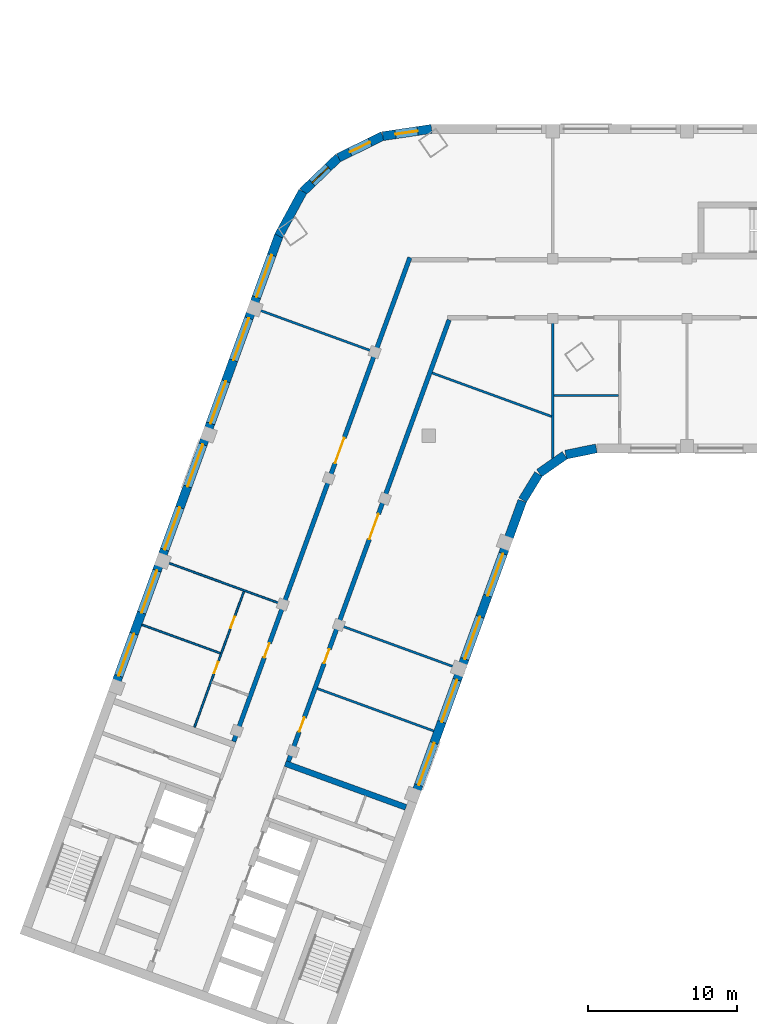
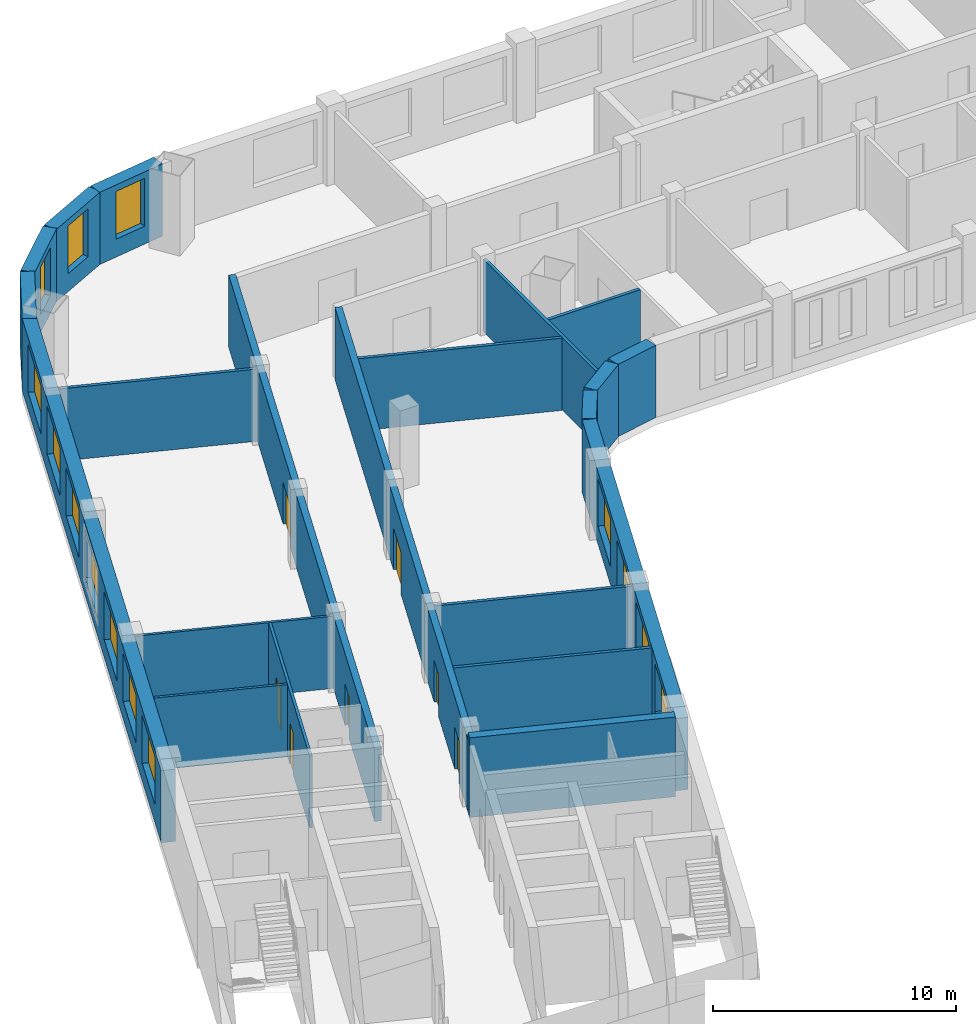
# One storey, part 3 of 12: 21 walls, 14 windows, 7 doors, 21 openings.
"""IFC4 building model written with IfcOpenShell, lengths in metres."""

from ifc_helpers import new_model, si_unit, direction, frame, frame_2d, origin, place, context, subcontext, project, spatial, rectangle, extrude, material, layer, layer_set, type_object, element, fill, save


model = new_model("IFC4")

# Units and contexts
model_context = context("Model", 3, precision=1e-05, world=origin(), true_north=direction((0.0, 1.0)))
body_context = subcontext(model_context, "Body", "Model", "MODEL_VIEW")
ifc_project = project(units=[si_unit("LENGTHUNIT", "METRE"), si_unit("AREAUNIT", "SQUARE_METRE"), si_unit("VOLUMEUNIT", "CUBIC_METRE"), si_unit("PLANEANGLEUNIT", "RADIAN"), si_unit("MASSUNIT", "GRAM", prefix="KILO")], contexts=[model_context])

# Site, building, storey
site_placement = place(None, origin())
site = spatial("IfcSite", under=ifc_project, at=site_placement, CompositionType="ELEMENT")
building_placement = place(site_placement, origin())
building = spatial("IfcBuilding", under=site, at=building_placement, Name="Skarvind Civic Tower", CompositionType="ELEMENT")
storey_placement = place(building_placement, frame((0.0, 0.0, 59.5)))
storey = spatial("IfcBuildingStorey", under=building, at=storey_placement, Name="L13", CompositionType="ELEMENT", Elevation=59.5)

# Wall, openings, doors
ifc_material_1 = material(Name="Fire-rated gypsum board on steel studs", Category="steel")
ifc_layer_1 = layer(ifc_material_1, 0.300048828125)
ifc_layer_set_1 = layer_set([ifc_layer_1], Name="CORRIDOR WALL 300")
wall_type_1 = type_object("IfcWallType", Name="CORRIDOR WALL 300", PredefinedType="PARTITIONING", material=ifc_layer_set_1)
wall_1_placement = place(storey_placement, frame((32.881103515625, 97.656982421875, 0.0), z_axis=(0.0, 0.0, 1.0), x_axis=(0.342017360004, 0.939693633828, 0.0)))
wall_1 = element("IfcWall", 1, at=wall_1_placement, inside=storey, type_object=wall_type_1, Name="Partition 13.006", PredefinedType="PARTITIONING", context=body_context, shape_type="SweptSolid", body=[
    extrude(rectangle(XDim=34.515625, YDim=0.300048828125, at=frame_2d((17.2578125, 0.0))), origin(), (0.0, 0.0, 1.0), 3.625),
])
opening_1_placement = place(wall_1_placement, frame((6.0, 0.0, 0.0)))
opening_1 = element("IfcOpeningElement", 2, at=opening_1_placement, cuts=wall_1, Name="Opening L13-D014", PredefinedType="OPENING", context=body_context, shape_type="SweptSolid", body=[
    extrude(rectangle(XDim=1.0, YDim=2.10009765625, at=frame_2d((0.5, 1.050048828125))), frame((0.0, 0.159912109375, 0.0), z_axis=(0.0, -1.0, 0.0), x_axis=(1.0, 0.0, 0.0)), (0.0, 0.0, 1.0), 0.320068359375),
])
opening_2_placement = place(wall_1_placement, frame((19.85009765625, 0.0, 0.0)))
opening_2 = element("IfcOpeningElement", 3, at=opening_2_placement, cuts=wall_1, Name="Opening L13-D018", PredefinedType="OPENING", context=body_context, shape_type="SweptSolid", body=[
    extrude(rectangle(XDim=1.800048828125, YDim=2.10009765625, at=frame_2d((0.89990234375, 1.050048828125))), frame((0.0, 0.159912109375, 0.0), z_axis=(0.0, -1.0, 0.0), x_axis=(1.0, 0.0, 0.0)), (0.0, 0.0, 1.0), 0.320068359375),
])
ifc_material_2 = material(Name="Fire-rated timber door leaf", Category="wood")
door_type_1 = type_object("IfcDoorType", Name="FD1 1000x2100", OperationType="NOTDEFINED", PredefinedType="DOOR", material=ifc_material_2)
door_1_placement = place(opening_1_placement, origin())
door_1 = element("IfcDoor", 4, at=door_1_placement, inside=storey, type_object=door_type_1, Name="Door L13-D014", OperationType="SINGLE_SWING_RIGHT", OverallHeight=2.10009765625, OverallWidth=1.0, PredefinedType="DOOR", context=body_context, shape_type="SweptSolid", body=[
    extrude(rectangle(XDim=1.0, YDim=2.10009765625, at=frame_2d((0.5, 1.050048828125))), frame((0.0, 0.02490234375, 0.0), z_axis=(0.0, -1.0, 0.0), x_axis=(1.0, 0.0, 0.0)), (0.0, 0.0, 1.0), 0.050048828125),
])
fill(opening_1, door_1)
door_type_2 = type_object("IfcDoorType", Name="FD4 1800x2100", OperationType="NOTDEFINED", PredefinedType="DOOR", material=ifc_material_2)
door_2_placement = place(opening_2_placement, origin())
door_2 = element("IfcDoor", 5, at=door_2_placement, inside=storey, type_object=door_type_2, Name="Door L13-D018", OperationType="DOUBLE_DOOR_SINGLE_SWING", OverallHeight=2.10009765625, OverallWidth=1.800048828125, PredefinedType="DOOR", context=body_context, shape_type="SweptSolid", body=[
    extrude(rectangle(XDim=1.800048828125, YDim=2.10009765625, at=frame_2d((0.89990234375, 1.050048828125))), frame((0.0, 0.02490234375, 0.0), z_axis=(0.0, -1.0, 0.0), x_axis=(1.0, 0.0, 0.0)), (0.0, 0.0, 1.0), 0.050048828125),
])
fill(opening_2, door_2)

wall_2_placement = place(storey_placement, frame((47.31396484375, 125.908935546875, 0.0), z_axis=(0.0, 0.0, 1.0), x_axis=(-0.342010770371, -0.939696032209, 0.0)))
wall_2 = element("IfcWall", 6, at=wall_2_placement, inside=storey, type_object=wall_type_1, Name="Partition 13.011", PredefinedType="PARTITIONING", context=body_context, shape_type="SweptSolid", body=[
    extrude(rectangle(XDim=31.484619140625, YDim=0.300048828125, at=frame_2d((15.7421875, 0.0))), origin(), (0.0, 0.0, 1.0), 3.625),
])
opening_3_placement = place(wall_2_placement, frame((28.359375, 0.0, 0.0)))
opening_3 = element("IfcOpeningElement", 7, at=opening_3_placement, cuts=wall_2, Name="Opening L13-D019", PredefinedType="OPENING", context=body_context, shape_type="SweptSolid", body=[
    extrude(rectangle(XDim=1.0, YDim=2.10009765625, at=frame_2d((0.5, 1.050048828125))), frame((0.0, 0.159912109375, 0.0), z_axis=(0.0, -1.0, 0.0), x_axis=(1.0, 0.0, 0.0)), (0.0, 0.0, 1.0), 0.320068359375),
])
opening_4_placement = place(wall_2_placement, frame((23.484375, 0.0, 0.0)))
opening_4 = element("IfcOpeningElement", 8, at=opening_4_placement, cuts=wall_2, Name="Opening L13-D020", PredefinedType="OPENING", context=body_context, shape_type="SweptSolid", body=[
    extrude(rectangle(XDim=1.0, YDim=2.10009765625, at=frame_2d((0.5, 1.050048828125))), frame((0.0, 0.159912109375, 0.0), z_axis=(0.0, -1.0, 0.0), x_axis=(1.0, 0.0, 0.0)), (0.0, 0.0, 1.0), 0.320068359375),
])
opening_5_placement = place(wall_2_placement, frame((13.83447265625, 0.0, 0.0)))
opening_5 = element("IfcOpeningElement", 9, at=opening_5_placement, cuts=wall_2, Name="Opening L13-D021", PredefinedType="OPENING", context=body_context, shape_type="SweptSolid", body=[
    extrude(rectangle(XDim=1.800048828125, YDim=2.10009765625, at=frame_2d((0.89990234375, 1.050048828125))), frame((0.0, 0.159912109375, 0.0), z_axis=(0.0, -1.0, 0.0), x_axis=(1.0, 0.0, 0.0)), (0.0, 0.0, 1.0), 0.320068359375),
])
door_3_placement = place(opening_3_placement, origin())
door_3 = element("IfcDoor", 10, at=door_3_placement, inside=storey, type_object=door_type_1, Name="Door L13-D019", OperationType="SINGLE_SWING_RIGHT", OverallHeight=2.10009765625, OverallWidth=1.0, PredefinedType="DOOR", context=body_context, shape_type="SweptSolid", body=[
    extrude(rectangle(XDim=1.0, YDim=2.10009765625, at=frame_2d((0.5, 1.050048828125))), frame((0.0, 0.02490234375, 0.0), z_axis=(0.0, -1.0, 0.0), x_axis=(1.0, 0.0, 0.0)), (0.0, 0.0, 1.0), 0.050048828125),
])
fill(opening_3, door_3)
door_4_placement = place(opening_4_placement, origin())
door_4 = element("IfcDoor", 11, at=door_4_placement, inside=storey, type_object=door_type_1, Name="Door L13-D020", OperationType="SINGLE_SWING_LEFT", OverallHeight=2.10009765625, OverallWidth=1.0, PredefinedType="DOOR", context=body_context, shape_type="SweptSolid", body=[
    extrude(rectangle(XDim=1.0, YDim=2.10009765625, at=frame_2d((0.5, 1.050048828125))), frame((0.0, 0.02490234375, 0.0), z_axis=(0.0, -1.0, 0.0), x_axis=(1.0, 0.0, 0.0)), (0.0, 0.0, 1.0), 0.050048828125),
])
fill(opening_4, door_4)
door_5_placement = place(opening_5_placement, origin())
door_5 = element("IfcDoor", 12, at=door_5_placement, inside=storey, type_object=door_type_2, Name="Door L13-D021", OperationType="DOUBLE_DOOR_SINGLE_SWING", OverallHeight=2.10009765625, OverallWidth=1.800048828125, PredefinedType="DOOR", context=body_context, shape_type="SweptSolid", body=[
    extrude(rectangle(XDim=1.800048828125, YDim=2.10009765625, at=frame_2d((0.89990234375, 1.050048828125))), frame((0.0, 0.02490234375, 0.0), z_axis=(0.0, -1.0, 0.0), x_axis=(1.0, 0.0, 0.0)), (0.0, 0.0, 1.0), 0.050048828125),
])
fill(opening_5, door_5)

# Walls
ifc_material_3 = material(Name="Concrete C80", Category="concrete")
ifc_layer_2 = layer(ifc_material_3, 0.39990234375)
ifc_layer_set_2 = layer_set([ifc_layer_2], Name="Core wall 400 C80")
wall_type_2 = type_object("IfcWallType", Name="Core wall 400 C80", PredefinedType="SHEAR", material=ifc_layer_set_2)
wall_3_placement = place(storey_placement, frame((44.417724609375, 93.2451171875, 0.0), z_axis=(0.0, 0.0, 1.0), x_axis=(-0.93969060187, 0.342025690201, 0.0)))
element("IfcWall", 13, at=wall_3_placement, inside=storey, type_object=wall_type_2, Name="Core wall C2 south inner face L13", PredefinedType="SHEAR", context=body_context, shape_type="SweptSolid", body=[
    extrude(rectangle(XDim=8.599853515625, YDim=0.39990234375, at=frame_2d((4.2998046875, 0.0))), origin(), (0.0, 0.0, 1.0), 4.0),
])
ifc_material_4 = material(Name="Plasterboard partition on steel studs", Category="steel")
ifc_layer_3 = layer(ifc_material_4, 0.14990234375)
ifc_layer_set_3 = layer_set([ifc_layer_3], Name="PARTITION 150")
wall_type_3 = type_object("IfcWallType", Name="PARTITION 150", PredefinedType="PARTITIONING", material=ifc_layer_set_3)
for number, where, z_axis, x_axis, name in (
    (14, (38.48193359375, 101.2060546875, 0.0), (0.0, 0.0, 1.0), (0.939687752599, -0.342033518263, 0.0), "Partition 13.007"),
    (15, (40.02099609375, 105.43408203125, 0.0), (0.0, 0.0, 1.0), (0.939687752599, -0.342033518263, 0.0), "Partition 13.008"),
    (16, (42.23095703125, 123.784912109375, 0.0), (0.0, 0.0, 1.0), (-0.939687752599, 0.342033518263, 0.0), "Partition 13.009"),
):
    element("IfcWall", number, at=place(storey_placement, frame(where, z_axis=z_axis, x_axis=x_axis)), inside=storey, type_object=wall_type_3, Name=name, PredefinedType="PARTITIONING", context=body_context, shape_type="SweptSolid", body=[
        extrude(rectangle(XDim=8.30078125, YDim=0.14990234375, at=frame_2d((4.150390625, 0.0))), origin(), (0.0, 0.0, 1.0), 3.625),
    ])
wall_4_placement = place(storey_placement, frame((54.25, 116.636962890625, 0.0), z_axis=(0.0, 0.0, 1.0), x_axis=(0.0, 1.0, 0.0)))
element("IfcWall", 17, at=wall_4_placement, inside=storey, type_object=wall_type_3, Name="Partition 13.012", PredefinedType="PARTITIONING", context=body_context, shape_type="SweptSolid", body=[
    extrude(rectangle(XDim=9.262939453125, YDim=0.14990234375, at=frame_2d((4.63134765625, 0.0))), origin(), (0.0, 0.0, 1.0), 3.625),
])
wall_5_placement = place(storey_placement, frame((54.179931640625, 119.43603515625, 0.0), z_axis=(0.0, 0.0, 1.0), x_axis=(-0.939669476286, 0.342083725624, 0.0)))
element("IfcWall", 18, at=wall_5_placement, inside=storey, type_object=wall_type_3, Name="Partition 13.013", PredefinedType="PARTITIONING", context=body_context, shape_type="SweptSolid", body=[
    extrude(rectangle(XDim=8.515625, YDim=0.14990234375, at=frame_2d((4.2578125, 0.0))), origin(), (0.0, 0.0, 1.0), 3.625),
])
wall_6_placement = place(storey_placement, frame((54.324951171875, 120.85009765625, 0.0), z_axis=(0.0, 0.0, 1.0), x_axis=(1.0, 0.0, 0.0)))
element("IfcWall", 19, at=wall_6_placement, inside=storey, type_object=wall_type_3, Name="Partition 13.014", PredefinedType="PARTITIONING", context=body_context, shape_type="SweptSolid", body=[
    extrude(rectangle(XDim=4.35009765625, YDim=0.14990234375, at=frame_2d((2.175048828125, 0.0))), origin(), (0.0, 0.0, 1.0), 3.625),
])
ifc_material_5 = material(Name="Moisture-resistant gypsum board on steel studs", Category="steel")
ifc_layer_4 = layer(ifc_material_5, 0.125)
ifc_layer_set_4 = layer_set([ifc_layer_4], Name="WC PARTITION 125")
wall_type_4 = type_object("IfcWallType", Name="WC PARTITION 125", PredefinedType="PARTITIONING", material=ifc_layer_set_4)
wall_7_placement = place(storey_placement, frame((26.736083984375, 105.47998046875, 0.0), z_axis=(0.0, 0.0, 1.0), x_axis=(0.939690035435, -0.342027246436, 0.0)))
element("IfcWall", 20, at=wall_7_placement, inside=storey, type_object=wall_type_4, Name="Partition 13.001", PredefinedType="PARTITIONING", context=body_context, shape_type="SweptSolid", body=[
    extrude(rectangle(XDim=5.5869140625, YDim=0.125, at=frame_2d((2.79345703125, 0.0))), origin(), (0.0, 0.0, 1.0), 3.625),
])
wall_8_placement = place(storey_placement, frame((28.27490234375, 109.708984375, 0.0), z_axis=(0.0, 0.0, 1.0), x_axis=(0.939697205528, -0.342007546586, 0.0)))
element("IfcWall", 21, at=wall_8_placement, inside=storey, type_object=wall_type_4, Name="Partition 13.002", PredefinedType="PARTITIONING", context=body_context, shape_type="SweptSolid", body=[
    extrude(rectangle(XDim=8.300537109375, YDim=0.125, at=frame_2d((4.150390625, 0.0))), origin(), (0.0, 0.0, 1.0), 3.625),
])

# Wall, openings, doors
wall_9_placement = place(storey_placement, frame((30.25, 98.614990234375, 0.0), z_axis=(0.0, 0.0, 1.0), x_axis=(0.341998018937, 0.93970067311, 0.0)))
wall_9 = element("IfcWall", 22, at=wall_9_placement, inside=storey, type_object=wall_type_4, Name="Partition 13.003", PredefinedType="PARTITIONING", context=body_context, shape_type="SweptSolid", body=[
    extrude(rectangle(XDim=9.687255859375, YDim=0.125, at=frame_2d((4.84375, 0.0))), origin(), (0.0, 0.0, 1.0), 3.625),
])
opening_6_placement = place(wall_9_placement, frame((7.078125, 0.0, 0.0)))
opening_6 = element("IfcOpeningElement", 23, at=opening_6_placement, cuts=wall_9, Name="Opening L13-D016", PredefinedType="OPENING", context=body_context, shape_type="SweptSolid", body=[
    extrude(rectangle(XDim=0.800048828125, YDim=2.10009765625, at=frame_2d((0.39990234375, 1.050048828125))), frame((0.0, 0.072509765625, 0.0), z_axis=(0.0, -1.0, 0.0), x_axis=(1.0, 0.0, 0.0)), (0.0, 0.0, 1.0), 0.14501953125),
])
opening_7_placement = place(wall_9_placement, frame((3.847900390625, 0.0, 0.0)))
opening_7 = element("IfcOpeningElement", 24, at=opening_7_placement, cuts=wall_9, Name="Opening L13-D017", PredefinedType="OPENING", context=body_context, shape_type="SweptSolid", body=[
    extrude(rectangle(XDim=0.800048828125, YDim=2.10009765625, at=frame_2d((0.39990234375, 1.050048828125))), frame((0.0, 0.072509765625, 0.0), z_axis=(0.0, -1.0, 0.0), x_axis=(1.0, 0.0, 0.0)), (0.0, 0.0, 1.0), 0.14501953125),
])
ifc_material_6 = material(Name="Timber door leaf", Category="wood")
door_type_3 = type_object("IfcDoorType", Name="DOOR 800X2100 TIMBER", OperationType="NOTDEFINED", PredefinedType="DOOR", material=ifc_material_6)
door_6_placement = place(opening_6_placement, origin())
door_6 = element("IfcDoor", 25, at=door_6_placement, inside=storey, type_object=door_type_3, Name="Door L13-D016", OperationType="SINGLE_SWING_RIGHT", OverallHeight=2.10009765625, OverallWidth=0.800048828125, PredefinedType="DOOR", context=body_context, shape_type="SweptSolid", body=[
    extrude(rectangle(XDim=0.800048828125, YDim=2.10009765625, at=frame_2d((0.39990234375, 1.050048828125))), frame((0.0, 0.02490234375, 0.0), z_axis=(0.0, -1.0, 0.0), x_axis=(1.0, 0.0, 0.0)), (0.0, 0.0, 1.0), 0.050048828125),
])
fill(opening_6, door_6)
door_7_placement = place(opening_7_placement, origin())
door_7 = element("IfcDoor", 26, at=door_7_placement, inside=storey, type_object=door_type_3, Name="Door L13-D017", OperationType="SINGLE_SWING_RIGHT", OverallHeight=2.10009765625, OverallWidth=0.800048828125, PredefinedType="DOOR", context=body_context, shape_type="SweptSolid", body=[
    extrude(rectangle(XDim=0.800048828125, YDim=2.10009765625, at=frame_2d((0.39990234375, 1.050048828125))), frame((0.0, 0.02490234375, 0.0), z_axis=(0.0, -1.0, 0.0), x_axis=(1.0, 0.0, 0.0)), (0.0, 0.0, 1.0), 0.050048828125),
])
fill(opening_7, door_7)

# Wall, openings, windows
ifc_material_7 = material(Name="Limestone masonry cladding on insulated backing", Category="masonry")
ifc_layer_5 = layer(ifc_material_7, 0.60009765625)
ifc_layer_set_5 = layer_set([ifc_layer_5], Name="WX1 STONE FACADE WALL 600")
wall_type_5 = type_object("IfcWallType", Name="WX1 STONE FACADE WALL 600", PredefinedType="SOLIDWALL", material=ifc_layer_set_5)
wall_10_placement = place(storey_placement, frame((52.212158203125, 113.78271484375, 0.0), z_axis=(0.0, 0.0, 1.0), x_axis=(-0.34202521188, -0.939690775968, 0.0)))
wall_10 = element("IfcWall", 27, at=wall_10_placement, inside=storey, type_object=wall_type_5, Name="STONE FACADE WALL", PredefinedType="SOLIDWALL", context=body_context, shape_type="SweptSolid", body=[
    extrude(rectangle(XDim=21.744873046875, YDim=0.60009765625, at=frame_2d((10.87255859375, 0.0))), origin(), (0.0, 0.0, 1.0), 3.625),
])
opening_8_placement = place(wall_10_placement, frame((3.764892578125, 0.0, 0.89990234375)))
opening_8 = element("IfcOpeningElement", 28, at=opening_8_placement, cuts=wall_10, Name="Opening WN1", PredefinedType="OPENING", context=body_context, shape_type="SweptSolid", body=[
    extrude(rectangle(XDim=3.0, YDim=2.39990234375, at=frame_2d((1.5, 1.199951171875))), frame((0.0, 0.31005859375, 0.0), z_axis=(0.0, -1.0, 0.0), x_axis=(1.0, 0.0, 0.0)), (0.0, 0.0, 1.0), 0.6201171875),
])
opening_9_placement = place(wall_10_placement, frame((8.264892578125, 0.0, 0.89990234375)))
opening_9 = element("IfcOpeningElement", 29, at=opening_9_placement, cuts=wall_10, Name="Opening WN1", PredefinedType="OPENING", context=body_context, shape_type="SweptSolid", body=[
    extrude(rectangle(XDim=3.0, YDim=2.39990234375, at=frame_2d((1.5, 1.199951171875))), frame((0.0, 0.31005859375, 0.0), z_axis=(0.0, -1.0, 0.0), x_axis=(1.0, 0.0, 0.0)), (0.0, 0.0, 1.0), 0.6201171875),
])
opening_10_placement = place(wall_10_placement, frame((12.764892578125, 0.0, 0.89990234375)))
opening_10 = element("IfcOpeningElement", 30, at=opening_10_placement, cuts=wall_10, Name="Opening WN1", PredefinedType="OPENING", context=body_context, shape_type="SweptSolid", body=[
    extrude(rectangle(XDim=3.0, YDim=2.39990234375, at=frame_2d((1.5, 1.199951171875))), frame((0.0, 0.31005859375, 0.0), z_axis=(0.0, -1.0, 0.0), x_axis=(1.0, 0.0, 0.0)), (0.0, 0.0, 1.0), 0.6201171875),
])
opening_11_placement = place(wall_10_placement, frame((17.264892578125, 0.0, 0.89990234375)))
opening_11 = element("IfcOpeningElement", 31, at=opening_11_placement, cuts=wall_10, Name="Opening WN1", PredefinedType="OPENING", context=body_context, shape_type="SweptSolid", body=[
    extrude(rectangle(XDim=3.0, YDim=2.39990234375, at=frame_2d((1.5, 1.199951171875))), frame((0.0, 0.31005859375, 0.0), z_axis=(0.0, -1.0, 0.0), x_axis=(1.0, 0.0, 0.0)), (0.0, 0.0, 1.0), 0.6201171875),
])
ifc_material_8 = material(Name="Timber frame, double glazing, timber-lined reveal", Category="wood")
window_type_1 = type_object("IfcWindowType", Name="WN1 PUNCHED STONE WINDOW 3000 x 2400", PartitioningType="SINGLE_PANEL", PredefinedType="WINDOW", material=ifc_material_8)
window_1_placement = place(opening_8_placement, origin())
window_1 = element("IfcWindow", 32, at=window_1_placement, inside=storey, type_object=window_type_1, Name="WN1 WINDOW", OverallHeight=2.39990234375, OverallWidth=3.0, PartitioningType="SINGLE_PANEL", PredefinedType="WINDOW", context=body_context, shape_type="SweptSolid", body=[
    extrude(rectangle(XDim=3.0, YDim=2.39990234375, at=frame_2d((1.5, 1.199951171875))), frame((0.0, 0.030029296875, 0.0), z_axis=(0.0, -1.0, 0.0), x_axis=(1.0, 0.0, 0.0)), (0.0, 0.0, 1.0), 0.06005859375),
])
fill(opening_8, window_1)
window_2_placement = place(opening_9_placement, origin())
window_2 = element("IfcWindow", 33, at=window_2_placement, inside=storey, type_object=window_type_1, Name="WN1 WINDOW", OverallHeight=2.39990234375, OverallWidth=3.0, PartitioningType="SINGLE_PANEL", PredefinedType="WINDOW", context=body_context, shape_type="SweptSolid", body=[
    extrude(rectangle(XDim=3.0, YDim=2.39990234375, at=frame_2d((1.5, 1.199951171875))), frame((0.0, 0.030029296875, 0.0), z_axis=(0.0, -1.0, 0.0), x_axis=(1.0, 0.0, 0.0)), (0.0, 0.0, 1.0), 0.06005859375),
])
fill(opening_9, window_2)
window_3_placement = place(opening_10_placement, origin())
window_3 = element("IfcWindow", 34, at=window_3_placement, inside=storey, type_object=window_type_1, Name="WN1 WINDOW", OverallHeight=2.39990234375, OverallWidth=3.0, PartitioningType="SINGLE_PANEL", PredefinedType="WINDOW", context=body_context, shape_type="SweptSolid", body=[
    extrude(rectangle(XDim=3.0, YDim=2.39990234375, at=frame_2d((1.5, 1.199951171875))), frame((0.0, 0.030029296875, 0.0), z_axis=(0.0, -1.0, 0.0), x_axis=(1.0, 0.0, 0.0)), (0.0, 0.0, 1.0), 0.06005859375),
])
fill(opening_10, window_3)
window_4_placement = place(opening_11_placement, origin())
window_4 = element("IfcWindow", 35, at=window_4_placement, inside=storey, type_object=window_type_1, Name="WN1 WINDOW", OverallHeight=2.39990234375, OverallWidth=3.0, PartitioningType="SINGLE_PANEL", PredefinedType="WINDOW", context=body_context, shape_type="SweptSolid", body=[
    extrude(rectangle(XDim=3.0, YDim=2.39990234375, at=frame_2d((1.5, 1.199951171875))), frame((0.0, 0.030029296875, 0.0), z_axis=(0.0, -1.0, 0.0), x_axis=(1.0, 0.0, 0.0)), (0.0, 0.0, 1.0), 0.06005859375),
])
fill(opening_11, window_4)

# Walls
wall_11_placement = place(storey_placement, frame((53.30517578125, 115.578369140625, 0.0), z_axis=(0.0, 0.0, 1.0), x_axis=(-0.522402266438, -0.852699168535, 0.0)))
element("IfcWall", 36, at=wall_11_placement, inside=storey, type_object=wall_type_5, Name="STONE FACADE WALL", PredefinedType="SOLIDWALL", context=body_context, shape_type="SweptSolid", body=[
    extrude(rectangle(XDim=2.042236328125, YDim=0.60009765625, at=frame_2d((1.02099609375, 0.0))), origin(), (0.0, 0.0, 1.0), 3.625),
])
for number, where, z_axis, x_axis, name in (
    (37, (55.061767578125, 116.8388671875, 0.0), (0.0, 0.0, 1.0), (-0.819122269495, -0.573618956815, 0.0), "STONE FACADE WALL"),
    (38, (57.17529296875, 117.2939453125, 0.0), (0.0, 0.0, 1.0), (-0.97996099083, -0.19918949885, 0.0), "STONE FACADE WALL"),
):
    element("IfcWall", number, at=place(storey_placement, frame(where, z_axis=z_axis, x_axis=x_axis)), inside=storey, type_object=wall_type_5, Name=name, PredefinedType="SOLIDWALL", context=body_context, shape_type="SweptSolid", body=[
        extrude(rectangle(XDim=2.09228515625, YDim=0.60009765625, at=frame_2d((1.046142578125, 0.0))), origin(), (0.0, 0.0, 1.0), 3.625),
    ])

# Wall, opening, window
wall_12_placement = place(storey_placement, frame((42.872802734375, 138.21728515625, 0.0), z_axis=(0.0, 0.0, 1.0), x_axis=(0.989110792192, 0.14717282619, 0.0)))
wall_12 = element("IfcWall", 39, at=wall_12_placement, inside=storey, type_object=wall_type_5, Name="STONE FACADE WALL", PredefinedType="SOLIDWALL", context=body_context, shape_type="SweptSolid", body=[
    extrude(rectangle(XDim=3.302734375, YDim=0.60009765625, at=frame_2d((1.6513671875, 0.0))), origin(), (0.0, 0.0, 1.0), 3.625),
])
opening_12_placement = place(wall_12_placement, frame((0.8564453125, 0.0, 0.89990234375)))
opening_12 = element("IfcOpeningElement", 40, at=opening_12_placement, cuts=wall_12, Name="Opening WN8", PredefinedType="OPENING", context=body_context, shape_type="SweptSolid", body=[
    extrude(rectangle(XDim=1.5, YDim=2.39990234375, at=frame_2d((0.75, 1.199951171875))), frame((0.0, 0.31005859375, 0.0), z_axis=(0.0, -1.0, 0.0), x_axis=(1.0, 0.0, 0.0)), (0.0, 0.0, 1.0), 0.6201171875),
])
window_type_2 = type_object("IfcWindowType", Name="WN8 ARC BAY WINDOW 1500 x 2400", PartitioningType="SINGLE_PANEL", PredefinedType="WINDOW", material=ifc_material_8)
window_5_placement = place(opening_12_placement, origin())
window_5 = element("IfcWindow", 41, at=window_5_placement, inside=storey, type_object=window_type_2, Name="WN8 WINDOW", OverallHeight=2.39990234375, OverallWidth=1.5, PartitioningType="SINGLE_PANEL", PredefinedType="WINDOW", context=body_context, shape_type="SweptSolid", body=[
    extrude(rectangle(XDim=1.5, YDim=2.39990234375, at=frame_2d((0.75, 1.199951171875))), frame((0.0, 0.030029296875, 0.0), z_axis=(0.0, -1.0, 0.0), x_axis=(1.0, 0.0, 0.0)), (0.0, 0.0, 1.0), 0.06005859375),
])
fill(opening_12, window_5)

wall_13_placement = place(storey_placement, frame((39.9072265625, 136.77587890625, 0.0), z_axis=(0.0, 0.0, 1.0), x_axis=(0.89761231107, 0.440785819889, 0.0)))
wall_13 = element("IfcWall", 42, at=wall_13_placement, inside=storey, type_object=wall_type_5, Name="STONE FACADE WALL", PredefinedType="SOLIDWALL", context=body_context, shape_type="SweptSolid", body=[
    extrude(rectangle(XDim=3.302734375, YDim=0.60009765625, at=frame_2d((1.6513671875, 0.0))), origin(), (0.0, 0.0, 1.0), 3.625),
])
opening_13_placement = place(wall_13_placement, frame((0.8564453125, 0.0, 0.89990234375)))
opening_13 = element("IfcOpeningElement", 43, at=opening_13_placement, cuts=wall_13, Name="Opening WN8", PredefinedType="OPENING", context=body_context, shape_type="SweptSolid", body=[
    extrude(rectangle(XDim=1.5, YDim=2.39990234375, at=frame_2d((0.75, 1.199951171875))), frame((0.0, 0.31005859375, 0.0), z_axis=(0.0, -1.0, 0.0), x_axis=(1.0, 0.0, 0.0)), (0.0, 0.0, 1.0), 0.6201171875),
])
window_6_placement = place(opening_13_placement, origin())
window_6 = element("IfcWindow", 44, at=window_6_placement, inside=storey, type_object=window_type_2, Name="WN8 WINDOW", OverallHeight=2.39990234375, OverallWidth=1.5, PartitioningType="SINGLE_PANEL", PredefinedType="WINDOW", context=body_context, shape_type="SweptSolid", body=[
    extrude(rectangle(XDim=1.5, YDim=2.39990234375, at=frame_2d((0.75, 1.199951171875))), frame((0.0, 0.030029296875, 0.0), z_axis=(0.0, -1.0, 0.0), x_axis=(1.0, 0.0, 0.0)), (0.0, 0.0, 1.0), 0.06005859375),
])
fill(opening_13, window_6)

wall_14_placement = place(storey_placement, frame((37.520263671875, 134.501220703125, 0.0), z_axis=(0.0, 0.0, 1.0), x_axis=(0.72115684486, 0.692771827596, 0.0)))
wall_14 = element("IfcWall", 45, at=wall_14_placement, inside=storey, type_object=wall_type_5, Name="STONE FACADE WALL", PredefinedType="SOLIDWALL", context=body_context, shape_type="SweptSolid", body=[
    extrude(rectangle(XDim=3.302734375, YDim=0.60009765625, at=frame_2d((1.6513671875, 0.0))), origin(), (0.0, 0.0, 1.0), 3.625),
])
opening_14_placement = place(wall_14_placement, frame((0.8564453125, 0.0, 0.89990234375)))
opening_14 = element("IfcOpeningElement", 46, at=opening_14_placement, cuts=wall_14, Name="Opening WN8", PredefinedType="OPENING", context=body_context, shape_type="SweptSolid", body=[
    extrude(rectangle(XDim=1.5, YDim=2.39990234375, at=frame_2d((0.75, 1.199951171875))), frame((0.0, 0.31005859375, 0.0), z_axis=(0.0, -1.0, 0.0), x_axis=(1.0, 0.0, 0.0)), (0.0, 0.0, 1.0), 0.6201171875),
])
window_7_placement = place(opening_14_placement, origin())
window_7 = element("IfcWindow", 47, at=window_7_placement, inside=storey, type_object=window_type_2, Name="WN8 WINDOW", OverallHeight=2.39990234375, OverallWidth=1.5, PartitioningType="SINGLE_PANEL", PredefinedType="WINDOW", context=body_context, shape_type="SweptSolid", body=[
    extrude(rectangle(XDim=1.5, YDim=2.39990234375, at=frame_2d((0.75, 1.199951171875))), frame((0.0, 0.030029296875, 0.0), z_axis=(0.0, -1.0, 0.0), x_axis=(1.0, 0.0, 0.0)), (0.0, 0.0, 1.0), 0.06005859375),
])
fill(opening_14, window_7)

# Wall
wall_15_placement = place(storey_placement, frame((35.89453125, 131.529541015625, 0.0), z_axis=(0.0, 0.0, 1.0), x_axis=(0.476531180538, 0.879157570618, 0.0)))
element("IfcWall", 48, at=wall_15_placement, inside=storey, type_object=wall_type_5, Name="STONE FACADE WALL", PredefinedType="SOLIDWALL", context=body_context, shape_type="SweptSolid", body=[
    extrude(rectangle(XDim=3.392578125, YDim=0.60009765625, at=frame_2d((1.6962890625, 0.0))), origin(), (0.0, 0.0, 1.0), 3.625),
])

# Wall, openings, windows
wall_16_placement = place(storey_placement, frame((24.66552734375, 100.668701171875, 0.0), z_axis=(0.0, 0.0, 1.0), x_axis=(0.34201964167, 0.939692803373, 0.0)))
wall_16 = element("IfcWall", 49, at=wall_16_placement, inside=storey, type_object=wall_type_5, Name="STONE FACADE WALL", PredefinedType="SOLIDWALL", context=body_context, shape_type="SweptSolid", body=[
    extrude(rectangle(XDim=32.88427734375, YDim=0.60009765625, at=frame_2d((16.442138671875, 0.0))), origin(), (0.0, 0.0, 1.0), 3.625),
])
opening_15_placement = place(wall_16_placement, frame((1.47998046875, 0.0, 0.89990234375)))
opening_15 = element("IfcOpeningElement", 50, at=opening_15_placement, cuts=wall_16, Name="Opening WN1", PredefinedType="OPENING", context=body_context, shape_type="SweptSolid", body=[
    extrude(rectangle(XDim=3.0, YDim=2.39990234375, at=frame_2d((1.5, 1.199951171875))), frame((0.0, 0.31005859375, 0.0), z_axis=(0.0, -1.0, 0.0), x_axis=(1.0, 0.0, 0.0)), (0.0, 0.0, 1.0), 0.6201171875),
])
opening_16_placement = place(wall_16_placement, frame((5.97998046875, 0.0, 0.89990234375)))
opening_16 = element("IfcOpeningElement", 51, at=opening_16_placement, cuts=wall_16, Name="Opening WN1", PredefinedType="OPENING", context=body_context, shape_type="SweptSolid", body=[
    extrude(rectangle(XDim=3.0, YDim=2.39990234375, at=frame_2d((1.5, 1.199951171875))), frame((0.0, 0.31005859375, 0.0), z_axis=(0.0, -1.0, 0.0), x_axis=(1.0, 0.0, 0.0)), (0.0, 0.0, 1.0), 0.6201171875),
])
opening_17_placement = place(wall_16_placement, frame((10.47998046875, 0.0, 0.89990234375)))
opening_17 = element("IfcOpeningElement", 52, at=opening_17_placement, cuts=wall_16, Name="Opening WN1", PredefinedType="OPENING", context=body_context, shape_type="SweptSolid", body=[
    extrude(rectangle(XDim=3.0, YDim=2.39990234375, at=frame_2d((1.5, 1.199951171875))), frame((0.0, 0.31005859375, 0.0), z_axis=(0.0, -1.0, 0.0), x_axis=(1.0, 0.0, 0.0)), (0.0, 0.0, 1.0), 0.6201171875),
])
opening_18_placement = place(wall_16_placement, frame((14.97998046875, 0.0, 0.89990234375)))
opening_18 = element("IfcOpeningElement", 53, at=opening_18_placement, cuts=wall_16, Name="Opening WN1", PredefinedType="OPENING", context=body_context, shape_type="SweptSolid", body=[
    extrude(rectangle(XDim=3.0, YDim=2.39990234375, at=frame_2d((1.5, 1.199951171875))), frame((0.0, 0.31005859375, 0.0), z_axis=(0.0, -1.0, 0.0), x_axis=(1.0, 0.0, 0.0)), (0.0, 0.0, 1.0), 0.6201171875),
])
opening_19_placement = place(wall_16_placement, frame((19.47998046875, 0.0, 0.89990234375)))
opening_19 = element("IfcOpeningElement", 54, at=opening_19_placement, cuts=wall_16, Name="Opening WN1", PredefinedType="OPENING", context=body_context, shape_type="SweptSolid", body=[
    extrude(rectangle(XDim=3.0, YDim=2.39990234375, at=frame_2d((1.5, 1.199951171875))), frame((0.0, 0.31005859375, 0.0), z_axis=(0.0, -1.0, 0.0), x_axis=(1.0, 0.0, 0.0)), (0.0, 0.0, 1.0), 0.6201171875),
])
opening_20_placement = place(wall_16_placement, frame((23.97998046875, 0.0, 0.89990234375)))
opening_20 = element("IfcOpeningElement", 55, at=opening_20_placement, cuts=wall_16, Name="Opening WN1", PredefinedType="OPENING", context=body_context, shape_type="SweptSolid", body=[
    extrude(rectangle(XDim=3.0, YDim=2.39990234375, at=frame_2d((1.5, 1.199951171875))), frame((0.0, 0.31005859375, 0.0), z_axis=(0.0, -1.0, 0.0), x_axis=(1.0, 0.0, 0.0)), (0.0, 0.0, 1.0), 0.6201171875),
])
opening_21_placement = place(wall_16_placement, frame((28.47998046875, 0.0, 0.89990234375)))
opening_21 = element("IfcOpeningElement", 56, at=opening_21_placement, cuts=wall_16, Name="Opening WN1", PredefinedType="OPENING", context=body_context, shape_type="SweptSolid", body=[
    extrude(rectangle(XDim=3.0, YDim=2.39990234375, at=frame_2d((1.5, 1.199951171875))), frame((0.0, 0.31005859375, 0.0), z_axis=(0.0, -1.0, 0.0), x_axis=(1.0, 0.0, 0.0)), (0.0, 0.0, 1.0), 0.6201171875),
])
window_8_placement = place(opening_15_placement, origin())
window_8 = element("IfcWindow", 57, at=window_8_placement, inside=storey, type_object=window_type_1, Name="WN1 WINDOW", OverallHeight=2.39990234375, OverallWidth=3.0, PartitioningType="SINGLE_PANEL", PredefinedType="WINDOW", context=body_context, shape_type="SweptSolid", body=[
    extrude(rectangle(XDim=3.0, YDim=2.39990234375, at=frame_2d((1.5, 1.199951171875))), frame((0.0, 0.030029296875, 0.0), z_axis=(0.0, -1.0, 0.0), x_axis=(1.0, 0.0, 0.0)), (0.0, 0.0, 1.0), 0.06005859375),
])
fill(opening_15, window_8)
window_9_placement = place(opening_16_placement, origin())
window_9 = element("IfcWindow", 58, at=window_9_placement, inside=storey, type_object=window_type_1, Name="WN1 WINDOW", OverallHeight=2.39990234375, OverallWidth=3.0, PartitioningType="SINGLE_PANEL", PredefinedType="WINDOW", context=body_context, shape_type="SweptSolid", body=[
    extrude(rectangle(XDim=3.0, YDim=2.39990234375, at=frame_2d((1.5, 1.199951171875))), frame((0.0, 0.030029296875, 0.0), z_axis=(0.0, -1.0, 0.0), x_axis=(1.0, 0.0, 0.0)), (0.0, 0.0, 1.0), 0.06005859375),
])
fill(opening_16, window_9)
window_10_placement = place(opening_17_placement, origin())
window_10 = element("IfcWindow", 59, at=window_10_placement, inside=storey, type_object=window_type_1, Name="WN1 WINDOW", OverallHeight=2.39990234375, OverallWidth=3.0, PartitioningType="SINGLE_PANEL", PredefinedType="WINDOW", context=body_context, shape_type="SweptSolid", body=[
    extrude(rectangle(XDim=3.0, YDim=2.39990234375, at=frame_2d((1.5, 1.199951171875))), frame((0.0, 0.030029296875, 0.0), z_axis=(0.0, -1.0, 0.0), x_axis=(1.0, 0.0, 0.0)), (0.0, 0.0, 1.0), 0.06005859375),
])
fill(opening_17, window_10)
window_11_placement = place(opening_18_placement, origin())
window_11 = element("IfcWindow", 60, at=window_11_placement, inside=storey, type_object=window_type_1, Name="WN1 WINDOW", OverallHeight=2.39990234375, OverallWidth=3.0, PartitioningType="SINGLE_PANEL", PredefinedType="WINDOW", context=body_context, shape_type="SweptSolid", body=[
    extrude(rectangle(XDim=3.0, YDim=2.39990234375, at=frame_2d((1.5, 1.199951171875))), frame((0.0, 0.030029296875, 0.0), z_axis=(0.0, -1.0, 0.0), x_axis=(1.0, 0.0, 0.0)), (0.0, 0.0, 1.0), 0.06005859375),
])
fill(opening_18, window_11)
window_12_placement = place(opening_19_placement, origin())
window_12 = element("IfcWindow", 61, at=window_12_placement, inside=storey, type_object=window_type_1, Name="WN1 WINDOW", OverallHeight=2.39990234375, OverallWidth=3.0, PartitioningType="SINGLE_PANEL", PredefinedType="WINDOW", context=body_context, shape_type="SweptSolid", body=[
    extrude(rectangle(XDim=3.0, YDim=2.39990234375, at=frame_2d((1.5, 1.199951171875))), frame((0.0, 0.030029296875, 0.0), z_axis=(0.0, -1.0, 0.0), x_axis=(1.0, 0.0, 0.0)), (0.0, 0.0, 1.0), 0.06005859375),
])
fill(opening_19, window_12)
window_13_placement = place(opening_20_placement, origin())
window_13 = element("IfcWindow", 62, at=window_13_placement, inside=storey, type_object=window_type_1, Name="WN1 WINDOW", OverallHeight=2.39990234375, OverallWidth=3.0, PartitioningType="SINGLE_PANEL", PredefinedType="WINDOW", context=body_context, shape_type="SweptSolid", body=[
    extrude(rectangle(XDim=3.0, YDim=2.39990234375, at=frame_2d((1.5, 1.199951171875))), frame((0.0, 0.030029296875, 0.0), z_axis=(0.0, -1.0, 0.0), x_axis=(1.0, 0.0, 0.0)), (0.0, 0.0, 1.0), 0.06005859375),
])
fill(opening_20, window_13)
window_14_placement = place(opening_21_placement, origin())
window_14 = element("IfcWindow", 63, at=window_14_placement, inside=storey, type_object=window_type_1, Name="WN1 WINDOW", OverallHeight=2.39990234375, OverallWidth=3.0, PartitioningType="SINGLE_PANEL", PredefinedType="WINDOW", context=body_context, shape_type="SweptSolid", body=[
    extrude(rectangle(XDim=3.0, YDim=2.39990234375, at=frame_2d((1.5, 1.199951171875))), frame((0.0, 0.030029296875, 0.0), z_axis=(0.0, -1.0, 0.0), x_axis=(1.0, 0.0, 0.0)), (0.0, 0.0, 1.0), 0.06005859375),
])
fill(opening_21, window_14)

save(model, "model.ifc")
